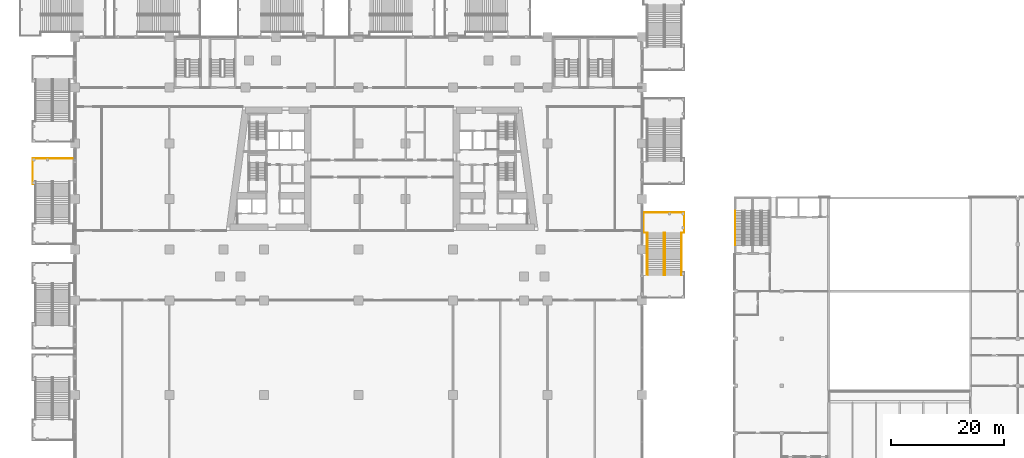
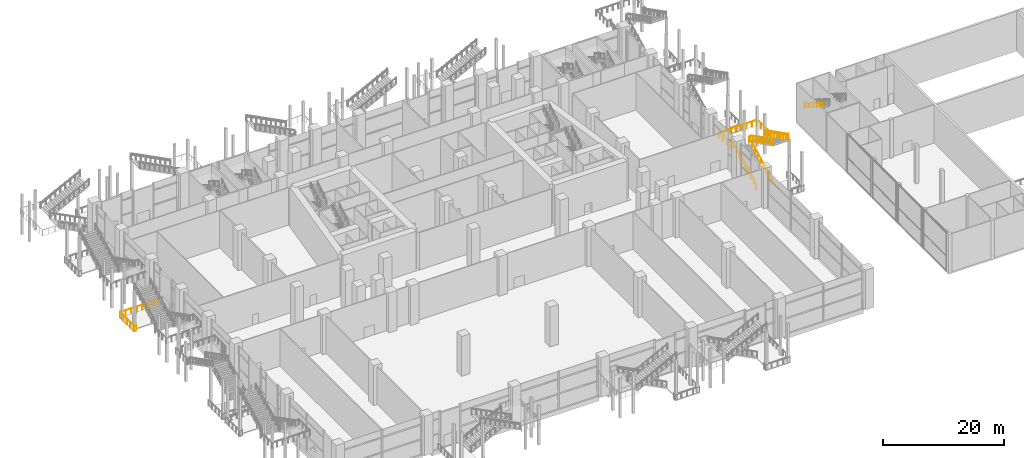
# One storey, part 42 of 52: 9 railings.
"""IFC4 building model written with IfcOpenShell, lengths in metres."""

from ifc_helpers import new_model, si_unit, direction, frame, origin, origin_2d, place, context, subcontext, project, spatial, circle, extrude, material, type_object, element, save


model = new_model("IFC4")

# Units and contexts
model_context = context("Model", 3, precision=1e-05, world=origin(), true_north=direction((0.0, 1.0)))
body_context = subcontext(model_context, "Body", "Model", "MODEL_VIEW")
ifc_project = project(units=[si_unit("LENGTHUNIT", "METRE"), si_unit("AREAUNIT", "SQUARE_METRE"), si_unit("VOLUMEUNIT", "CUBIC_METRE"), si_unit("PLANEANGLEUNIT", "RADIAN"), si_unit("MASSUNIT", "GRAM", prefix="KILO")], contexts=[model_context])

# Site, building, storey
site_placement = place(None, origin())
site = spatial("IfcSite", under=ifc_project, at=site_placement, CompositionType="ELEMENT")
building_placement = place(site_placement, origin())
building = spatial("IfcBuilding", under=site, at=building_placement, Name="Candeia Pilgrim Tower and Theatre", CompositionType="ELEMENT")
storey_placement = place(building_placement, frame((0.0, 0.0, 9.0)))
storey = spatial("IfcBuildingStorey", under=building, at=storey_placement, Name="L01", CompositionType="ELEMENT", Elevation=9.0)

# Railings
ifc_material_1 = material(Name="Steel S355", Category="steel")
railing_type_1 = type_object("IfcRailingType", Name="Handrail 900 steel", PredefinedType="HANDRAIL", material=ifc_material_1)
railing_1_placement = place(storey_placement, frame((176.175048828125, 113.93505859375, 4.173828125)))
element("IfcRailing", 1, at=railing_1_placement, inside=storey, type_object=railing_type_1, Name="L01 TS1 stair handrail 2", PredefinedType="HANDRAIL", context=body_context, shape_type="SweptSolid", body=[
    extrude(circle(Radius=0.02392578125, at=origin_2d()), frame((0.0, 0.0, 0.8759765625), z_axis=(0.0, -0.849477832307, 0.527624309921), x_axis=(1.0, 0.0, 0.0)), (0.0, 0.0, 1.0), 7.251708984375),
    extrude(circle(Radius=0.02099609375, at=origin_2d()), origin(), (0.0, 0.0, 1.0), 0.851806640625),
    extrude(circle(Radius=0.02099609375, at=origin_2d()), frame((0.0, -0.880126953125, 0.546630859375)), (0.0, 0.0, 1.0), 0.851806640625),
    extrude(circle(Radius=0.02099609375, at=origin_2d()), frame((0.0, -1.760009765625, 1.09326171875)), (0.0, 0.0, 1.0), 0.851806640625),
    extrude(circle(Radius=0.02099609375, at=origin_2d()), frame((0.0, -2.64013671875, 1.639892578125)), (0.0, 0.0, 1.0), 0.851806640625),
    extrude(circle(Radius=0.02099609375, at=origin_2d()), frame((0.0, -3.52001953125, 2.186279296875)), (0.0, 0.0, 1.0), 0.851806640625),
    extrude(circle(Radius=0.02099609375, at=origin_2d()), frame((0.0, -4.400146484375, 2.73291015625)), (0.0, 0.0, 1.0), 0.851806640625),
    extrude(circle(Radius=0.02099609375, at=origin_2d()), frame((0.0, -5.280029296875, 3.279541015625)), (0.0, 0.0, 1.0), 0.851806640625),
    extrude(circle(Radius=0.02099609375, at=origin_2d()), frame((0.0, -6.16015625, 3.826171875)), (0.0, 0.0, 1.0), 0.851806640625),
])
ifc_material_2 = material(Name="Stainless steel balustrade", Category="steel")
railing_type_2 = type_object("IfcRailingType", Name="RL-GUARD-1100", PredefinedType="GUARDRAIL", material=ifc_material_2)
railing_2_placement = place(storey_placement, frame((163.449951171875, 102.5, 0.173828125)))
element("IfcRailing", 2, at=railing_2_placement, inside=storey, type_object=railing_type_2, Name="L01 ES1 stair guard 1", PredefinedType="GUARDRAIL", context=body_context, shape_type="SweptSolid", body=[
    extrude(circle(Radius=0.02392578125, at=origin_2d()), frame((0.0, 0.0, 1.076171875), z_axis=(0.0, 0.890286522184, 0.455400821714), x_axis=(-1.0, 0.0, 0.0)), (0.0, 0.0, 1.0), 8.40185546875),
    extrude(circle(Radius=0.02099609375, at=origin_2d()), origin(), (0.0, 0.0, 1.0), 1.052001953125),
    extrude(circle(Radius=0.02099609375, at=origin_2d()), frame((0.0, 0.93505859375, 0.478271484375)), (0.0, 0.0, 1.0), 1.052001953125),
    extrude(circle(Radius=0.02099609375, at=origin_2d()), frame((0.0, 1.8701171875, 0.95654296875)), (0.0, 0.0, 1.0), 1.052001953125),
    extrude(circle(Radius=0.02099609375, at=origin_2d()), frame((0.0, 2.804931640625, 1.434814453125)), (0.0, 0.0, 1.0), 1.052001953125),
    extrude(circle(Radius=0.02099609375, at=origin_2d()), frame((0.0, 3.739990234375, 1.9130859375)), (0.0, 0.0, 1.0), 1.052001953125),
    extrude(circle(Radius=0.02099609375, at=origin_2d()), frame((0.0, 4.675048828125, 2.391357421875)), (0.0, 0.0, 1.0), 1.052001953125),
    extrude(circle(Radius=0.02099609375, at=origin_2d()), frame((0.0, 5.60986328125, 2.86962890625)), (0.0, 0.0, 1.0), 1.052001953125),
    extrude(circle(Radius=0.02099609375, at=origin_2d()), frame((0.0, 6.544921875, 3.347900390625)), (0.0, 0.0, 1.0), 1.052001953125),
    extrude(circle(Radius=0.02099609375, at=origin_2d()), frame((0.0, 7.47998046875, 3.826171875)), (0.0, 0.0, 1.0), 1.052001953125),
])
railing_3_placement = place(storey_placement, frame((163.699951171875, 109.97998046875, 4.173828125)))
element("IfcRailing", 3, at=railing_3_placement, inside=storey, type_object=railing_type_2, Name="L01 ES1 stair guard 2", PredefinedType="GUARDRAIL", context=body_context, shape_type="SweptSolid", body=[
    extrude(circle(Radius=0.02392578125, at=origin_2d()), frame((0.0, 0.0, 1.076171875), z_axis=(0.0, -0.890286522184, 0.455400821714), x_axis=(1.0, 0.0, 0.0)), (0.0, 0.0, 1.0), 8.40185546875),
    extrude(circle(Radius=0.02099609375, at=origin_2d()), origin(), (0.0, 0.0, 1.0), 1.052001953125),
    extrude(circle(Radius=0.02099609375, at=origin_2d()), frame((0.0, -0.93505859375, 0.478271484375)), (0.0, 0.0, 1.0), 1.052001953125),
    extrude(circle(Radius=0.02099609375, at=origin_2d()), frame((0.0, -1.8701171875, 0.95654296875)), (0.0, 0.0, 1.0), 1.052001953125),
    extrude(circle(Radius=0.02099609375, at=origin_2d()), frame((0.0, -2.804931640625, 1.434814453125)), (0.0, 0.0, 1.0), 1.052001953125),
    extrude(circle(Radius=0.02099609375, at=origin_2d()), frame((0.0, -3.739990234375, 1.9130859375)), (0.0, 0.0, 1.0), 1.052001953125),
    extrude(circle(Radius=0.02099609375, at=origin_2d()), frame((0.0, -4.675048828125, 2.391357421875)), (0.0, 0.0, 1.0), 1.052001953125),
    extrude(circle(Radius=0.02099609375, at=origin_2d()), frame((0.0, -5.60986328125, 2.86962890625)), (0.0, 0.0, 1.0), 1.052001953125),
    extrude(circle(Radius=0.02099609375, at=origin_2d()), frame((0.0, -6.544921875, 3.347900390625)), (0.0, 0.0, 1.0), 1.052001953125),
    extrude(circle(Radius=0.02099609375, at=origin_2d()), frame((0.0, -7.47998046875, 3.826171875)), (0.0, 0.0, 1.0), 1.052001953125),
])
railing_4_placement = place(storey_placement, frame((160.5, 102.5, 0.173828125)))
element("IfcRailing", 4, at=railing_4_placement, inside=storey, type_object=railing_type_2, Name="L01 ES1 stair guard 3", PredefinedType="GUARDRAIL", context=body_context, shape_type="SweptSolid", body=[
    extrude(circle(Radius=0.02392578125, at=origin_2d()), frame((0.0, 0.0, 1.076171875), z_axis=(0.0, 0.890286522184, 0.455400821714), x_axis=(-1.0, 0.0, 0.0)), (0.0, 0.0, 1.0), 8.40185546875),
    extrude(circle(Radius=0.02099609375, at=origin_2d()), origin(), (0.0, 0.0, 1.0), 1.052001953125),
    extrude(circle(Radius=0.02099609375, at=origin_2d()), frame((0.0, 0.93505859375, 0.478271484375)), (0.0, 0.0, 1.0), 1.052001953125),
    extrude(circle(Radius=0.02099609375, at=origin_2d()), frame((0.0, 1.8701171875, 0.95654296875)), (0.0, 0.0, 1.0), 1.052001953125),
    extrude(circle(Radius=0.02099609375, at=origin_2d()), frame((0.0, 2.804931640625, 1.434814453125)), (0.0, 0.0, 1.0), 1.052001953125),
    extrude(circle(Radius=0.02099609375, at=origin_2d()), frame((0.0, 3.739990234375, 1.9130859375)), (0.0, 0.0, 1.0), 1.052001953125),
    extrude(circle(Radius=0.02099609375, at=origin_2d()), frame((0.0, 4.675048828125, 2.391357421875)), (0.0, 0.0, 1.0), 1.052001953125),
    extrude(circle(Radius=0.02099609375, at=origin_2d()), frame((0.0, 5.60986328125, 2.86962890625)), (0.0, 0.0, 1.0), 1.052001953125),
    extrude(circle(Radius=0.02099609375, at=origin_2d()), frame((0.0, 6.544921875, 3.347900390625)), (0.0, 0.0, 1.0), 1.052001953125),
    extrude(circle(Radius=0.02099609375, at=origin_2d()), frame((0.0, 7.47998046875, 3.826171875)), (0.0, 0.0, 1.0), 1.052001953125),
])
railing_5_placement = place(storey_placement, frame((166.64990234375, 109.97998046875, 4.173828125)))
element("IfcRailing", 5, at=railing_5_placement, inside=storey, type_object=railing_type_2, Name="L01 ES1 stair guard 4", PredefinedType="GUARDRAIL", context=body_context, shape_type="SweptSolid", body=[
    extrude(circle(Radius=0.02392578125, at=origin_2d()), frame((0.0, 0.0, 1.076171875), z_axis=(0.0, -0.890286522184, 0.455400821714), x_axis=(1.0, 0.0, 0.0)), (0.0, 0.0, 1.0), 8.40185546875),
    extrude(circle(Radius=0.02099609375, at=origin_2d()), origin(), (0.0, 0.0, 1.0), 1.052001953125),
    extrude(circle(Radius=0.02099609375, at=origin_2d()), frame((0.0, -0.93505859375, 0.478271484375)), (0.0, 0.0, 1.0), 1.052001953125),
    extrude(circle(Radius=0.02099609375, at=origin_2d()), frame((0.0, -1.8701171875, 0.95654296875)), (0.0, 0.0, 1.0), 1.052001953125),
    extrude(circle(Radius=0.02099609375, at=origin_2d()), frame((0.0, -2.804931640625, 1.434814453125)), (0.0, 0.0, 1.0), 1.052001953125),
    extrude(circle(Radius=0.02099609375, at=origin_2d()), frame((0.0, -3.739990234375, 1.9130859375)), (0.0, 0.0, 1.0), 1.052001953125),
    extrude(circle(Radius=0.02099609375, at=origin_2d()), frame((0.0, -4.675048828125, 2.391357421875)), (0.0, 0.0, 1.0), 1.052001953125),
    extrude(circle(Radius=0.02099609375, at=origin_2d()), frame((0.0, -5.60986328125, 2.86962890625)), (0.0, 0.0, 1.0), 1.052001953125),
    extrude(circle(Radius=0.02099609375, at=origin_2d()), frame((0.0, -6.544921875, 3.347900390625)), (0.0, 0.0, 1.0), 1.052001953125),
    extrude(circle(Radius=0.02099609375, at=origin_2d()), frame((0.0, -7.47998046875, 3.826171875)), (0.0, 0.0, 1.0), 1.052001953125),
])
railing_6_placement = place(storey_placement, frame((160.5, 110.030029296875, 4.0)))
element("IfcRailing", 6, at=railing_6_placement, inside=storey, type_object=railing_type_2, Name="L01 ES1 stair guard 5", PredefinedType="GUARDRAIL", context=body_context, shape_type="SweptSolid", body=[
    extrude(circle(Radius=0.02392578125, at=origin_2d()), frame((0.0, 0.0, 1.076171875), z_axis=(-1.0, 0.0, 0.0), x_axis=(0.0, -1.0, 0.0)), (0.0, 0.0, 1.0), 0.64990234375),
    extrude(circle(Radius=0.02392578125, at=origin_2d()), frame((-0.64990234375, 0.0, 1.076171875), z_axis=(0.0, 1.0, 0.0), x_axis=(-1.0, 0.0, 0.0)), (0.0, 0.0, 1.0), 3.580078125),
    extrude(circle(Radius=0.02392578125, at=origin_2d()), frame((-0.64990234375, 3.580078125, 1.076171875), z_axis=(1.0, 0.0, 0.0), x_axis=(0.0, 1.0, 0.0)), (0.0, 0.0, 1.0), 7.25),
    extrude(circle(Radius=0.02392578125, at=origin_2d()), frame((6.60009765625, 3.580078125, 1.076171875), z_axis=(0.0, -1.0, 0.0), x_axis=(1.0, 0.0, 0.0)), (0.0, 0.0, 1.0), 3.580078125),
    extrude(circle(Radius=0.02392578125, at=origin_2d()), frame((6.60009765625, 0.0, 1.076171875), z_axis=(-1.0, 0.0, 0.0), x_axis=(0.0, -1.0, 0.0)), (0.0, 0.0, 1.0), 0.4501953125),
    extrude(circle(Radius=0.02099609375, at=origin_2d()), origin(), (0.0, 0.0, 1.0), 1.052001953125),
    extrude(circle(Radius=0.02099609375, at=origin_2d()), frame((-0.64990234375, 0.0, 0.0)), (0.0, 0.0, 1.0), 1.052001953125),
    extrude(circle(Radius=0.02099609375, at=origin_2d()), frame((-0.64990234375, 1.193359375, 0.0)), (0.0, 0.0, 1.0), 1.052001953125),
    extrude(circle(Radius=0.02099609375, at=origin_2d()), frame((-0.64990234375, 2.38671875, 0.0)), (0.0, 0.0, 1.0), 1.052001953125),
    extrude(circle(Radius=0.02099609375, at=origin_2d()), frame((-0.64990234375, 3.580078125, 0.0)), (0.0, 0.0, 1.0), 1.052001953125),
    extrude(circle(Radius=0.02099609375, at=origin_2d()), frame((0.3857421875, 3.580078125, 0.0)), (0.0, 0.0, 1.0), 1.052001953125),
    extrude(circle(Radius=0.02099609375, at=origin_2d()), frame((1.421630859375, 3.580078125, 0.0)), (0.0, 0.0, 1.0), 1.052001953125),
    extrude(circle(Radius=0.02099609375, at=origin_2d()), frame((2.457275390625, 3.580078125, 0.0)), (0.0, 0.0, 1.0), 1.052001953125),
    extrude(circle(Radius=0.02099609375, at=origin_2d()), frame((3.492919921875, 3.580078125, 0.0)), (0.0, 0.0, 1.0), 1.052001953125),
    extrude(circle(Radius=0.02099609375, at=origin_2d()), frame((4.528564453125, 3.580078125, 0.0)), (0.0, 0.0, 1.0), 1.052001953125),
    extrude(circle(Radius=0.02099609375, at=origin_2d()), frame((5.564453125, 3.580078125, 0.0)), (0.0, 0.0, 1.0), 1.052001953125),
    extrude(circle(Radius=0.02099609375, at=origin_2d()), frame((6.60009765625, 3.580078125, 0.0)), (0.0, 0.0, 1.0), 1.052001953125),
    extrude(circle(Radius=0.02099609375, at=origin_2d()), frame((6.60009765625, 2.38671875, 0.0)), (0.0, 0.0, 1.0), 1.052001953125),
    extrude(circle(Radius=0.02099609375, at=origin_2d()), frame((6.60009765625, 1.193359375, 0.0)), (0.0, 0.0, 1.0), 1.052001953125),
    extrude(circle(Radius=0.02099609375, at=origin_2d()), frame((6.60009765625, 0.0, 0.0)), (0.0, 0.0, 1.0), 1.052001953125),
    extrude(circle(Radius=0.02099609375, at=origin_2d()), frame((6.14990234375, 0.0, 0.0)), (0.0, 0.0, 1.0), 1.052001953125),
])
railing_7_placement = place(storey_placement, frame((58.699951171875, 123.199951171875, 0.0)))
element("IfcRailing", 7, at=railing_7_placement, inside=storey, type_object=railing_type_2, Name="L01 External escape stair ES15 landing guard", PredefinedType="GUARDRAIL", context=body_context, shape_type="SweptSolid", body=[
    extrude(circle(Radius=0.02392578125, at=origin_2d()), frame((0.0, 0.0, 1.076171875), z_axis=(-1.0, 0.0, 0.0), x_axis=(0.0, -1.0, 0.0)), (0.0, 0.0, 1.0), 7.39990234375),
    extrude(circle(Radius=0.02392578125, at=origin_2d()), frame((-7.39990234375, 0.0, 1.076171875), z_axis=(0.0, -1.0, 0.0), x_axis=(1.0, 0.0, 0.0)), (0.0, 0.0, 1.0), 4.5),
    extrude(circle(Radius=0.02392578125, at=origin_2d()), frame((-7.39990234375, -4.5, 1.076171875), z_axis=(1.0, 0.0, 0.0), x_axis=(0.0, 1.0, 0.0)), (0.0, 0.0, 1.0), 0.449951171875),
    extrude(circle(Radius=0.02099609375, at=origin_2d()), origin(), (0.0, 0.0, 1.0), 1.052001953125),
    extrude(circle(Radius=0.02099609375, at=origin_2d()), frame((-1.05712890625, 0.0, 0.0)), (0.0, 0.0, 1.0), 1.052001953125),
    extrude(circle(Radius=0.02099609375, at=origin_2d()), frame((-2.1142578125, 0.0, 0.0)), (0.0, 0.0, 1.0), 1.052001953125),
    extrude(circle(Radius=0.02099609375, at=origin_2d()), frame((-3.17138671875, 0.0, 0.0)), (0.0, 0.0, 1.0), 1.052001953125),
    extrude(circle(Radius=0.02099609375, at=origin_2d()), frame((-4.228515625, 0.0, 0.0)), (0.0, 0.0, 1.0), 1.052001953125),
    extrude(circle(Radius=0.02099609375, at=origin_2d()), frame((-5.28564453125, 0.0, 0.0)), (0.0, 0.0, 1.0), 1.052001953125),
    extrude(circle(Radius=0.02099609375, at=origin_2d()), frame((-6.3427734375, 0.0, 0.0)), (0.0, 0.0, 1.0), 1.052001953125),
    extrude(circle(Radius=0.02099609375, at=origin_2d()), frame((-7.39990234375, 0.0, 0.0)), (0.0, 0.0, 1.0), 1.052001953125),
    extrude(circle(Radius=0.02099609375, at=origin_2d()), frame((-7.39990234375, -1.125, 0.0)), (0.0, 0.0, 1.0), 1.052001953125),
    extrude(circle(Radius=0.02099609375, at=origin_2d()), frame((-7.39990234375, -2.25, 0.0)), (0.0, 0.0, 1.0), 1.052001953125),
    extrude(circle(Radius=0.02099609375, at=origin_2d()), frame((-7.39990234375, -3.375, 0.0)), (0.0, 0.0, 1.0), 1.052001953125),
    extrude(circle(Radius=0.02099609375, at=origin_2d()), frame((-7.39990234375, -4.5, 0.0)), (0.0, 0.0, 1.0), 1.052001953125),
    extrude(circle(Radius=0.02099609375, at=origin_2d()), frame((-6.949951171875, -4.5, 0.0)), (0.0, 0.0, 1.0), 1.052001953125),
])
ifc_material_3 = material(Name="Stainless steel handrail", Category="steel")
railing_type_3 = type_object("IfcRailingType", Name="RL-HANDRAIL-900", PredefinedType="HANDRAIL", material=ifc_material_3)
railing_8_placement = place(storey_placement, frame((160.550048828125, 102.5, 0.173828125)))
element("IfcRailing", 8, at=railing_8_placement, inside=storey, type_object=railing_type_3, Name="L01 ES1 stair handrail 1", PredefinedType="HANDRAIL", context=body_context, shape_type="SweptSolid", body=[
    extrude(circle(Radius=0.02392578125, at=origin_2d()), frame((0.0, 0.0, 0.8759765625), z_axis=(0.0, 0.890286522184, 0.455400821714), x_axis=(-1.0, 0.0, 0.0)), (0.0, 0.0, 1.0), 8.40185546875),
    extrude(circle(Radius=0.02099609375, at=origin_2d()), origin(), (0.0, 0.0, 1.0), 0.851806640625),
    extrude(circle(Radius=0.02099609375, at=origin_2d()), frame((0.0, 0.93505859375, 0.478271484375)), (0.0, 0.0, 1.0), 0.851806640625),
    extrude(circle(Radius=0.02099609375, at=origin_2d()), frame((0.0, 1.8701171875, 0.95654296875)), (0.0, 0.0, 1.0), 0.851806640625),
    extrude(circle(Radius=0.02099609375, at=origin_2d()), frame((0.0, 2.804931640625, 1.434814453125)), (0.0, 0.0, 1.0), 0.851806640625),
    extrude(circle(Radius=0.02099609375, at=origin_2d()), frame((0.0, 3.739990234375, 1.9130859375)), (0.0, 0.0, 1.0), 0.851806640625),
    extrude(circle(Radius=0.02099609375, at=origin_2d()), frame((0.0, 4.675048828125, 2.391357421875)), (0.0, 0.0, 1.0), 0.851806640625),
    extrude(circle(Radius=0.02099609375, at=origin_2d()), frame((0.0, 5.60986328125, 2.86962890625)), (0.0, 0.0, 1.0), 0.851806640625),
    extrude(circle(Radius=0.02099609375, at=origin_2d()), frame((0.0, 6.544921875, 3.347900390625)), (0.0, 0.0, 1.0), 0.851806640625),
    extrude(circle(Radius=0.02099609375, at=origin_2d()), frame((0.0, 7.47998046875, 3.826171875)), (0.0, 0.0, 1.0), 0.851806640625),
])
railing_9_placement = place(storey_placement, frame((166.60009765625, 109.97998046875, 4.173828125)))
element("IfcRailing", 9, at=railing_9_placement, inside=storey, type_object=railing_type_3, Name="L01 ES1 stair handrail 2", PredefinedType="HANDRAIL", context=body_context, shape_type="SweptSolid", body=[
    extrude(circle(Radius=0.02392578125, at=origin_2d()), frame((0.0, 0.0, 0.8759765625), z_axis=(0.0, -0.890286522184, 0.455400821714), x_axis=(1.0, 0.0, 0.0)), (0.0, 0.0, 1.0), 8.40185546875),
    extrude(circle(Radius=0.02099609375, at=origin_2d()), origin(), (0.0, 0.0, 1.0), 0.851806640625),
    extrude(circle(Radius=0.02099609375, at=origin_2d()), frame((0.0, -0.93505859375, 0.478271484375)), (0.0, 0.0, 1.0), 0.851806640625),
    extrude(circle(Radius=0.02099609375, at=origin_2d()), frame((0.0, -1.8701171875, 0.95654296875)), (0.0, 0.0, 1.0), 0.851806640625),
    extrude(circle(Radius=0.02099609375, at=origin_2d()), frame((0.0, -2.804931640625, 1.434814453125)), (0.0, 0.0, 1.0), 0.851806640625),
    extrude(circle(Radius=0.02099609375, at=origin_2d()), frame((0.0, -3.739990234375, 1.9130859375)), (0.0, 0.0, 1.0), 0.851806640625),
    extrude(circle(Radius=0.02099609375, at=origin_2d()), frame((0.0, -4.675048828125, 2.391357421875)), (0.0, 0.0, 1.0), 0.851806640625),
    extrude(circle(Radius=0.02099609375, at=origin_2d()), frame((0.0, -5.60986328125, 2.86962890625)), (0.0, 0.0, 1.0), 0.851806640625),
    extrude(circle(Radius=0.02099609375, at=origin_2d()), frame((0.0, -6.544921875, 3.347900390625)), (0.0, 0.0, 1.0), 0.851806640625),
    extrude(circle(Radius=0.02099609375, at=origin_2d()), frame((0.0, -7.47998046875, 3.826171875)), (0.0, 0.0, 1.0), 0.851806640625),
])

save(model, "model.ifc")
